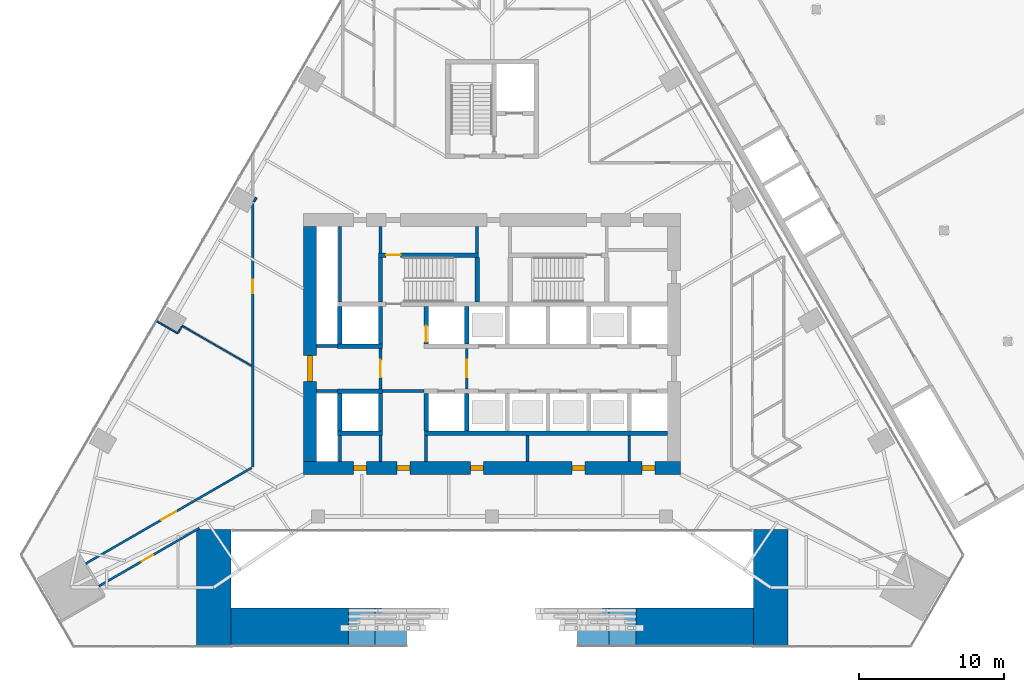
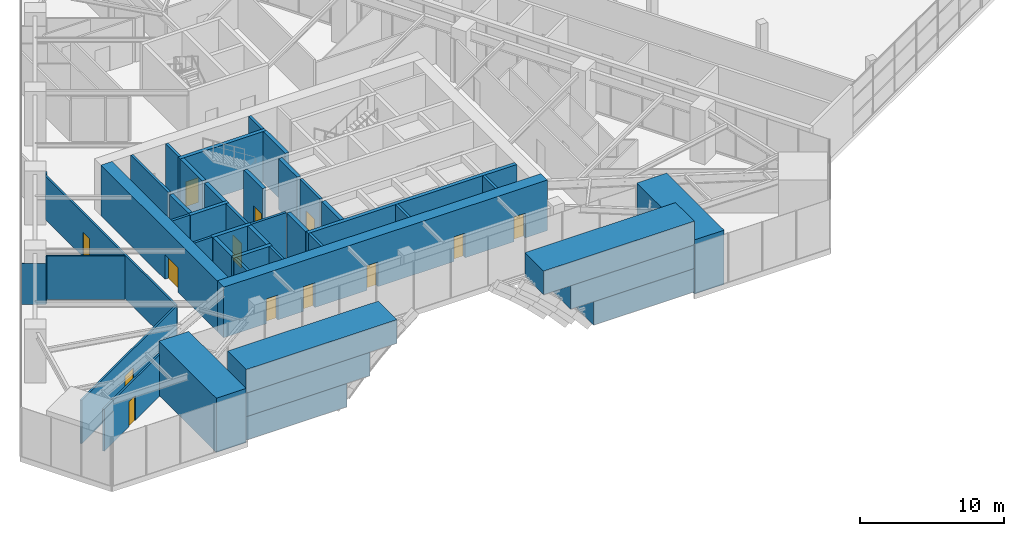
# One storey, part 16 of 23: 45 walls, 13 doors, 13 openings.
"""IFC4 building model written with IfcOpenShell, lengths in metres."""

import ifcopenshell
import ifcopenshell.guid

model = None  # the IFC model being written
_history = None  # IfcOwnerHistory: only IFC2X3 demands one
_inside = {}  # id of a spatial element -> (the spatial element, [elements in it])
_under = {}  # id of a project, library or spatial element -> (it, [spatial elements below it])
_declared = {}  # id of a project -> (the project, [libraries it declares])
_typed = {}  # id of a type object -> (the type object, [elements of that type])
_made_of = {}  # id of a material, layer set ... -> (it, [elements and type objects made of it])


def new_model(schema):
    """Start an empty IFC model of exactly this schema.

    Asked for "IFC4X3", IfcOpenShell would pick the latest addendum, in which some entities
    have other attributes; the version numbers below select the first issue.
    IFC2X3 requires an IfcOwnerHistory on every rooted entity: one is made here for all.
    """
    global model, _history
    if schema == "IFC4X3":
        model = ifcopenshell.file(schema_version=(4, 3, 0, 0))
    else:
        model = ifcopenshell.file(schema=schema)
    _inside.clear()
    _under.clear()
    _declared.clear()
    _typed.clear()
    _made_of.clear()
    _history = None
    if model.schema == "IFC2X3":
        org = make("IfcOrganization", Name="unknown")
        user = make(
            "IfcPersonAndOrganization",
            ThePerson=make("IfcPerson", FamilyName="unknown"),
            TheOrganization=org,
        )
        app = make(
            "IfcApplication",
            ApplicationDeveloper=org,
            Version="unknown",
            ApplicationFullName="unknown",
            ApplicationIdentifier="unknown",
        )
        _history = make(
            "IfcOwnerHistory",
            OwningUser=user,
            OwningApplication=app,
            ChangeAction="ADDED",
            CreationDate=0,
        )
    return model


def make(cls, **values):
    """One entity of the class cls with the attributes given. An attribute that is None is left unset."""
    return model.create_entity(
        cls, **{name: value for name, value in values.items() if value is not None}
    )


def rooted(cls, **values):
    """An entity with a GlobalId (a new one), such as an element, a storey or a relation."""
    return make(cls, GlobalId=ifcopenshell.guid.new(), OwnerHistory=_history, **values)


def si_unit(unit_type, name, prefix=None):
    """IfcSIUnit, for example si_unit("LENGTHUNIT", "METRE", prefix="MILLI")."""
    return make("IfcSIUnit", UnitType=unit_type, Prefix=prefix, Name=name)


def assignment(units):
    """IfcUnitAssignment: the units of a project."""
    return None if units is None else make("IfcUnitAssignment", Units=units)


def point(xyz):
    """IfcCartesianPoint."""
    return None if xyz is None else make("IfcCartesianPoint", Coordinates=xyz)


def direction(xyz):
    """IfcDirection."""
    return None if xyz is None else make("IfcDirection", DirectionRatios=xyz)


def frame(location, z_axis=None, x_axis=None):
    """IfcAxis2Placement3D, a coordinate frame: its origin and axes. An axis left out is left unset."""
    return make(
        "IfcAxis2Placement3D",
        Location=point(location),
        Axis=direction(z_axis),
        RefDirection=direction(x_axis),
    )


def frame_2d(location, x_axis=None):
    """IfcAxis2Placement2D, a coordinate frame in the plane: its origin and x axis."""
    return make(
        "IfcAxis2Placement2D", Location=point(location), RefDirection=direction(x_axis)
    )


def origin():
    """The frame at (0, 0, 0) with its axes left unset."""
    return frame((0.0, 0.0, 0.0))


def place(relative_to, where):
    """IfcLocalPlacement: puts the frame where relative to a parent placement (None: the world)."""
    return make(
        "IfcLocalPlacement", PlacementRelTo=relative_to, RelativePlacement=where
    )


def context(
    kind, dimensions, precision=None, world=None, true_north=None, identifier=None
):
    """IfcGeometricRepresentationContext, for example the 3D "Model" context."""
    return make(
        "IfcGeometricRepresentationContext",
        ContextIdentifier=identifier,
        ContextType=kind,
        CoordinateSpaceDimension=dimensions,
        Precision=precision,
        WorldCoordinateSystem=world,
        TrueNorth=true_north,
    )


def subcontext(parent, identifier, kind, view, scale=None):
    """IfcGeometricRepresentationSubContext, for example "Body" below "Model"."""
    return make(
        "IfcGeometricRepresentationSubContext",
        ContextIdentifier=identifier,
        ContextType=kind,
        ParentContext=parent,
        TargetScale=scale,
        TargetView=view,
    )


def project(units=None, contexts=None):
    """IfcProject with its units and contexts."""
    return rooted(
        "IfcProject",
        Name="project",
        RepresentationContexts=contexts,
        UnitsInContext=assignment(units),
    )


def spatial(cls, under=None, at=None, **own):
    """A site, building, storey or space (cls), placed at a placement, below another one or the project."""
    s = rooted(cls, ObjectPlacement=at, **own)
    if under is not None:
        _under.setdefault(under.id(), (under, []))[1].append(s)
    return s


def profile(cls, at=None, kind="AREA", **sizes):
    """A parametric profile (cls). Its sizes go by their IFC names, for example OverallWidth=200.0."""
    return make(cls, ProfileType=kind, Position=at, **sizes)


def rectangle(**sizes):
    """IfcRectangleProfileDef."""
    return profile("IfcRectangleProfileDef", **sizes)


def extrude(swept, where, along, depth):
    """IfcExtrudedAreaSolid: the profile swept, set in the frame where, extruded along a direction by depth."""
    return make(
        "IfcExtrudedAreaSolid",
        SweptArea=swept,
        Position=where,
        ExtrudedDirection=direction(along),
        Depth=depth,
    )


def shape(context_of_items, identifier, shape_type, items):
    """IfcShapeRepresentation: the items that make up one representation, for example the "Body"."""
    return make(
        "IfcShapeRepresentation",
        ContextOfItems=context_of_items,
        RepresentationIdentifier=identifier,
        RepresentationType=shape_type,
        Items=items,
    )


def material(Name=None, Category=None):
    """IfcMaterial."""
    return make("IfcMaterial", Name=Name, Category=Category)


def layer(
    of_material, thickness, ventilated=None, Name=None, Category=None, Priority=None
):
    """IfcMaterialLayer: one layer of a wall or slab, of a material (None: an air gap)."""
    return make(
        "IfcMaterialLayer",
        Material=of_material,
        LayerThickness=thickness,
        IsVentilated=ventilated,
        Name=Name,
        Category=Category,
        Priority=Priority,
    )


def layer_set(layers, Name=None):
    """IfcMaterialLayerSet."""
    return make("IfcMaterialLayerSet", MaterialLayers=layers, LayerSetName=Name)


def made_of(thing, what):
    """Note that an element or type object is made of a material, layer set ...; save() writes the relation."""
    if what is not None:
        _made_of.setdefault(what.id(), (what, []))[1].append(thing)
    return thing


def type_object(cls, material=None, **own):
    """A type object (cls), such as IfcWallType, which elements share."""
    return made_of(rooted(cls, **own), material)


def element(
    cls,
    number,
    at=None,
    inside=None,
    cuts=None,
    type_object=None,
    material=None,
    context=None,
    identifier="Body",
    shape_type=None,
    held_by="IfcProductDefinitionShape",
    body=None,
    shapes=None,
    **own,
):
    """One element of the class cls, such as IfcWall. Its Tag is "e" and its number.

    at: its placement. inside: the storey or other place that contains it. cuts: it is an
    opening in that element (IfcRelVoidsElement). A single representation is given by context,
    identifier, shape_type and body (its items); several are given by shapes. held_by: the class
    of the entity that holds the representations. save() writes the other relations.
    """
    e = rooted(cls, Tag="e%d" % number, ObjectPlacement=at, **own)
    if body is not None:
        shapes = [shape(context, identifier, shape_type, body)]
    if shapes is not None:
        e.Representation = make(held_by, Representations=shapes)
    if inside is not None:
        _inside.setdefault(inside.id(), (inside, []))[1].append(e)
    if cuts is not None:
        rooted(
            "IfcRelVoidsElement", RelatingBuildingElement=cuts, RelatedOpeningElement=e
        )
    if type_object is not None:
        _typed.setdefault(type_object.id(), (type_object, []))[1].append(e)
    return made_of(e, material)


def fill(opening, filler):
    """IfcRelFillsElement: the door or window that sits in an opening."""
    return rooted(
        "IfcRelFillsElement",
        RelatingOpeningElement=opening,
        RelatedBuildingElement=filler,
    )


def aggregate(whole, parts):
    """IfcRelAggregates: a whole, such as a stair, and the parts it consists of."""
    return rooted("IfcRelAggregates", RelatingObject=whole, RelatedObjects=parts)


def save(model, path):
    """Write the relations noted so far, then the file.

    IfcRelAggregates (storeys below a building ...), IfcRelContainedInSpatialStructure (elements
    in a storey), IfcRelDefinesByType, IfcRelAssociatesMaterial and IfcRelDeclares: one each for
    every whole, place, type object, material and project.
    """
    for whole, parts in _under.values():
        aggregate(whole, parts)
    for where, things in _inside.values():
        rooted(
            "IfcRelContainedInSpatialStructure",
            RelatedElements=things,
            RelatingStructure=where,
        )
    for kind, things in _typed.values():
        rooted("IfcRelDefinesByType", RelatedObjects=things, RelatingType=kind)
    for what, things in _made_of.values():
        rooted("IfcRelAssociatesMaterial", RelatedObjects=things, RelatingMaterial=what)
    for by, libraries in _declared.values():
        rooted("IfcRelDeclares", RelatingContext=by, RelatedDefinitions=libraries)
    model.write(path)


model = new_model("IFC4")

# Units and contexts
model_context = context("Model", 3, precision=1e-05, world=origin(), true_north=direction((0.0, 1.0)))
body_context = subcontext(model_context, "Body", "Model", "MODEL_VIEW")
ifc_project = project(units=[si_unit("LENGTHUNIT", "METRE"), si_unit("AREAUNIT", "SQUARE_METRE"), si_unit("VOLUMEUNIT", "CUBIC_METRE"), si_unit("PLANEANGLEUNIT", "RADIAN"), si_unit("MASSUNIT", "GRAM", prefix="KILO")], contexts=[model_context])

# Site, building, storey
site_placement = place(None, origin())
site = spatial("IfcSite", under=ifc_project, at=site_placement, CompositionType="ELEMENT")
building_placement = place(site_placement, origin())
building = spatial("IfcBuilding", under=site, at=building_placement, Name="Firuza Gate Tower and Library", CompositionType="ELEMENT")
storey_placement = place(building_placement, frame((0.0, 0.0, 21.800048828125)))
storey = spatial("IfcBuildingStorey", under=building, at=storey_placement, Name="L04", CompositionType="ELEMENT", Elevation=21.800048828125)

# Walls
ifc_material_1 = material(Name="Plasterboard on steel studs", Category="steel")
ifc_layer_1 = layer(ifc_material_1, 0.199951171875)
ifc_layer_set_1 = layer_set([ifc_layer_1], Name="Core partition 200 EI 120")
wall_type_1 = type_object("IfcWallType", Name="Core partition 200 EI 120", PredefinedType="PARTITIONING", material=ifc_layer_set_1)
wall_1_placement = place(storey_placement, frame((62.89990234375, 71.75, 0.0), z_axis=(0.0, 0.0, 1.0), x_axis=(1.0, 0.0, 0.0)))
element("IfcWall", 1, at=wall_1_placement, inside=storey, type_object=wall_type_1, Name="Core partition L04 1", PredefinedType="PARTITIONING", context=body_context, shape_type="SweptSolid", body=[
    extrude(rectangle(XDim=1.4501953125, YDim=0.199951171875, at=frame_2d((0.72509765625, 0.0))), origin(), (0.0, 0.0, 1.0), 4.300048828125),
])
wall_2_placement = place(storey_placement, frame((67.449951171875, 71.75, 0.0), z_axis=(0.0, 0.0, 1.0), x_axis=(1.0, 0.0, 0.0)))
element("IfcWall", 2, at=wall_2_placement, inside=storey, type_object=wall_type_1, Name="Core partition L04 2", PredefinedType="PARTITIONING", context=body_context, shape_type="SweptSolid", body=[
    extrude(rectangle(XDim=2.85009765625, YDim=0.199951171875, at=frame_2d((1.425048828125, 0.0))), origin(), (0.0, 0.0, 1.0), 4.300048828125),
])
wall_3_placement = place(storey_placement, frame((62.89990234375, 74.85009765625, 0.0), z_axis=(0.0, 0.0, 1.0), x_axis=(1.0, 0.0, 0.0)))
element("IfcWall", 3, at=wall_3_placement, inside=storey, type_object=wall_type_1, Name="Core partition L04 3", PredefinedType="PARTITIONING", context=body_context, shape_type="SweptSolid", body=[
    extrude(rectangle(XDim=1.4501953125, YDim=0.199951171875, at=frame_2d((0.72509765625, 0.0))), origin(), (0.0, 0.0, 1.0), 4.300048828125),
])
wall_4_placement = place(storey_placement, frame((64.5, 66.89990234375, 0.0), z_axis=(0.0, 0.0, 1.0), x_axis=(0.0, 1.0, 0.0)))
element("IfcWall", 4, at=wall_4_placement, inside=storey, type_object=wall_type_1, Name="Core partition L04 5", PredefinedType="PARTITIONING", context=body_context, shape_type="SweptSolid", body=[
    extrude(rectangle(XDim=1.800048828125, YDim=0.199951171875, at=frame_2d((0.89990234375, 0.0))), origin(), (0.0, 0.0, 1.0), 4.300048828125),
])
wall_5_placement = place(storey_placement, frame((64.5, 77.89990234375, 0.0), z_axis=(0.0, 0.0, 1.0), x_axis=(0.0, 1.0, 0.0)))
element("IfcWall", 5, at=wall_5_placement, inside=storey, type_object=wall_type_1, Name="Core partition L04 6", PredefinedType="PARTITIONING", context=body_context, shape_type="SweptSolid", body=[
    extrude(rectangle(XDim=5.2001953125, YDim=0.199951171875, at=frame_2d((2.60009765625, 0.0))), origin(), (0.0, 0.0, 1.0), 4.300048828125),
])
for number, where, z_axis, x_axis, name in (
    (6, (67.300048828125, 66.89990234375, 0.0), (0.0, 0.0, 1.0), (0.0, 1.0, 0.0), "Core partition L04 7"),
    (7, (70.449951171875, 66.89990234375, 0.0), (0.0, 0.0, 1.0), (0.0, 1.0, 0.0), "Core partition L04 10"),
    (8, (77.449951171875, 66.89990234375, 0.0), (0.0, 0.0, 1.0), (0.0, 1.0, 0.0), "Core partition L04 14"),
    (9, (84.449951171875, 66.89990234375, 0.0), (0.0, 0.0, 1.0), (0.0, 1.0, 0.0), "Core partition L04 16"),
):
    element("IfcWall", number, at=place(storey_placement, frame(where, z_axis=z_axis, x_axis=x_axis)), inside=storey, type_object=wall_type_1, Name=name, PredefinedType="PARTITIONING", context=body_context, shape_type="SweptSolid", body=[
        extrude(rectangle(XDim=1.800048828125, YDim=0.199951171875, at=frame_2d((0.89990234375, 0.0))), origin(), (0.0, 0.0, 1.0), 4.300048828125),
    ])

# Wall, opening, door
ifc_material_2 = material(Name="Plasterboard on steel studs", Category="steel")
ifc_layer_2 = layer(ifc_material_2, 0.199951171875)
ifc_layer_set_2 = layer_set([ifc_layer_2], Name="Core partition 200 EI 60")
wall_type_2 = type_object("IfcWallType", Name="Core partition 200 EI 60", PredefinedType="PARTITIONING", material=ifc_layer_set_2)
wall_6_placement = place(storey_placement, frame((67.300048828125, 71.89990234375, 0.0), z_axis=(0.0, 0.0, 1.0), x_axis=(0.0, 1.0, 0.0)))
wall_6 = element("IfcWall", 10, at=wall_6_placement, inside=storey, type_object=wall_type_2, Name="Core partition L04 8", PredefinedType="PARTITIONING", context=body_context, shape_type="SweptSolid", body=[
    extrude(rectangle(XDim=2.800048828125, YDim=0.199951171875, at=frame_2d((1.39990234375, 0.0))), origin(), (0.0, 0.0, 1.0), 4.300048828125),
])
opening_1_placement = place(wall_6_placement, frame((0.800048828125, 0.0, 0.0)))
opening_1 = element("IfcOpeningElement", 11, at=opening_1_placement, cuts=wall_6, Name="Opening L04-K21", PredefinedType="OPENING", context=body_context, shape_type="SweptSolid", body=[
    extrude(rectangle(XDim=1.199951171875, YDim=2.10009765625, at=frame_2d((0.60009765625, 1.050048828125))), frame((0.0, 0.10986328125, 0.0), z_axis=(0.0, -1.0, 0.0), x_axis=(1.0, 0.0, 0.0)), (0.0, 0.0, 1.0), 0.219970703125),
])
ifc_material_3 = material(Name="Steel", Category="steel")
door_type_1 = type_object("IfcDoorType", Name="Fire door 1200x2100 FD90S", OperationType="NOTDEFINED", PredefinedType="DOOR", material=ifc_material_3)
door_1_placement = place(opening_1_placement, origin())
door_1 = element("IfcDoor", 12, at=door_1_placement, inside=storey, type_object=door_type_1, Name="Door L04-K21", OperationType="SINGLE_SWING_RIGHT", OverallHeight=2.10009765625, OverallWidth=1.199951171875, PredefinedType="DOOR", context=body_context, shape_type="SweptSolid", body=[
    extrude(rectangle(XDim=1.199951171875, YDim=2.10009765625, at=frame_2d((0.60009765625, 1.050048828125))), frame((0.0, 0.02490234375, 0.0), z_axis=(0.0, -1.0, 0.0), x_axis=(1.0, 0.0, 0.0)), (0.0, 0.0, 1.0), 0.050048828125),
])
fill(opening_1, door_1)

# Wall
wall_7_placement = place(storey_placement, frame((67.300048828125, 81.280029296875, 0.0), z_axis=(0.0, 0.0, 1.0), x_axis=(0.0, 1.0, 0.0)))
element("IfcWall", 13, at=wall_7_placement, inside=storey, type_object=wall_type_2, Name="Core partition L04 9", PredefinedType="PARTITIONING", context=body_context, shape_type="SweptSolid", body=[
    extrude(rectangle(XDim=1.820068359375, YDim=0.199951171875, at=frame_2d((0.91015625, 0.0))), origin(), (0.0, 0.0, 1.0), 4.300048828125),
])

# Wall, opening, door
wall_8_placement = place(storey_placement, frame((73.25, 71.89990234375, 0.0), z_axis=(0.0, 0.0, 1.0), x_axis=(0.0, 1.0, 0.0)))
wall_8 = element("IfcWall", 14, at=wall_8_placement, inside=storey, type_object=wall_type_2, Name="Core partition L04 11", PredefinedType="PARTITIONING", context=body_context, shape_type="SweptSolid", body=[
    extrude(rectangle(XDim=2.800048828125, YDim=0.199951171875, at=frame_2d((1.39990234375, 0.0))), origin(), (0.0, 0.0, 1.0), 4.300048828125),
])
opening_2_placement = place(wall_8_placement, frame((0.800048828125, 0.0, 0.0)))
opening_2 = element("IfcOpeningElement", 15, at=opening_2_placement, cuts=wall_8, Name="Opening L04-K20", PredefinedType="OPENING", context=body_context, shape_type="SweptSolid", body=[
    extrude(rectangle(XDim=1.199951171875, YDim=2.10009765625, at=frame_2d((0.60009765625, 1.050048828125))), frame((0.0, 0.10986328125, 0.0), z_axis=(0.0, -1.0, 0.0), x_axis=(1.0, 0.0, 0.0)), (0.0, 0.0, 1.0), 0.219970703125),
])
door_2_placement = place(opening_2_placement, origin())
door_2 = element("IfcDoor", 16, at=door_2_placement, inside=storey, type_object=door_type_1, Name="Door L04-K20", OperationType="SINGLE_SWING_LEFT", OverallHeight=2.10009765625, OverallWidth=1.199951171875, PredefinedType="DOOR", context=body_context, shape_type="SweptSolid", body=[
    extrude(rectangle(XDim=1.199951171875, YDim=2.10009765625, at=frame_2d((0.60009765625, 1.050048828125))), frame((0.0, 0.02490234375, 0.0), z_axis=(0.0, -1.0, 0.0), x_axis=(1.0, 0.0, 0.0)), (0.0, 0.0, 1.0), 0.050048828125),
])
fill(opening_2, door_2)

# Walls
wall_9_placement = place(storey_placement, frame((73.9599609375, 81.280029296875, 0.0), z_axis=(0.0, 0.0, 1.0), x_axis=(0.0, 1.0, 0.0)))
element("IfcWall", 17, at=wall_9_placement, inside=storey, type_object=wall_type_2, Name="Core partition L04 12", PredefinedType="PARTITIONING", context=body_context, shape_type="SweptSolid", body=[
    extrude(rectangle(XDim=1.820068359375, YDim=0.199951171875, at=frame_2d((0.91015625, 0.0))), origin(), (0.0, 0.0, 1.0), 4.300048828125),
])
ifc_material_4 = material(Name="Concrete C80/95", Category="concrete")
ifc_layer_3 = layer(ifc_material_4, 0.300048828125)
ifc_layer_set_3 = layer_set([ifc_layer_3], Name="Core wall 300 C80/95")
wall_type_3 = type_object("IfcWallType", Name="Core wall 300 C80/95", PredefinedType="SHEAR", material=ifc_layer_set_3)
wall_10_placement = place(storey_placement, frame((64.35009765625, 68.85009765625, 0.0), z_axis=(0.0, 0.0, 1.0), x_axis=(1.0, 0.0, 0.0)))
element("IfcWall", 18, at=wall_10_placement, inside=storey, type_object=wall_type_3, Name="Core wall L04 5", PredefinedType="SHEAR", context=body_context, shape_type="SweptSolid", body=[
    extrude(rectangle(XDim=3.099853515625, YDim=0.300048828125, at=frame_2d((1.5498046875, 0.0))), origin(), (0.0, 0.0, 1.0), 4.300048828125),
])
wall_11_placement = place(storey_placement, frame((70.35009765625, 68.85009765625, 0.0), z_axis=(0.0, 0.0, 1.0), x_axis=(1.0, 0.0, 0.0)))
element("IfcWall", 19, at=wall_11_placement, inside=storey, type_object=wall_type_3, Name="Core wall L04 6", PredefinedType="SHEAR", context=body_context, shape_type="SweptSolid", body=[
    extrude(rectangle(XDim=16.75, YDim=0.300048828125, at=frame_2d((8.375, 0.0))), origin(), (0.0, 0.0, 1.0), 4.300048828125),
])
for number, where, z_axis, x_axis, name in (
    (20, (64.35009765625, 71.75, 0.0), (0.0, 0.0, 1.0), (1.0, 0.0, 0.0), "Core wall L04 7"),
    (21, (64.35009765625, 74.85009765625, 0.0), (0.0, 0.0, 1.0), (1.0, 0.0, 0.0), "Core wall L04 9"),
):
    element("IfcWall", number, at=place(storey_placement, frame(where, z_axis=z_axis, x_axis=x_axis)), inside=storey, type_object=wall_type_3, Name=name, PredefinedType="SHEAR", context=body_context, shape_type="SweptSolid", body=[
        extrude(rectangle(XDim=3.099853515625, YDim=0.300048828125, at=frame_2d((1.5498046875, 0.0))), origin(), (0.0, 0.0, 1.0), 4.300048828125),
    ])
for number, where, z_axis, x_axis, name in (
    (22, (64.5, 69.0, 0.0), (0.0, 0.0, 1.0), (0.0, 1.0, 0.0), "Core wall L04 11"),
    (23, (64.5, 75.0, 0.0), (0.0, 0.0, 1.0), (0.0, 1.0, 0.0), "Core wall L04 12"),
    (24, (67.300048828125, 69.0, 0.0), (0.0, 0.0, 1.0), (0.0, 1.0, 0.0), "Core wall L04 13"),
    (25, (67.300048828125, 75.0, 0.0), (0.0, 0.0, 1.0), (0.0, 1.0, 0.0), "Core wall L04 14"),
    (26, (70.449951171875, 69.0, 0.0), (0.0, 0.0, 1.0), (0.0, 1.0, 0.0), "Core wall L04 15"),
):
    element("IfcWall", number, at=place(storey_placement, frame(where, z_axis=z_axis, x_axis=x_axis)), inside=storey, type_object=wall_type_3, Name=name, PredefinedType="SHEAR", context=body_context, shape_type="SweptSolid", body=[
        extrude(rectangle(XDim=2.60009765625, YDim=0.300048828125, at=frame_2d((1.300048828125, 0.0))), origin(), (0.0, 0.0, 1.0), 4.300048828125),
    ])

# Wall, opening, door
wall_12_placement = place(storey_placement, frame((70.449951171875, 75.0, 0.0), z_axis=(0.0, 0.0, 1.0), x_axis=(0.0, 1.0, 0.0)))
wall_12 = element("IfcWall", 27, at=wall_12_placement, inside=storey, type_object=wall_type_3, Name="Core wall L04 16", PredefinedType="SHEAR", context=body_context, shape_type="SweptSolid", body=[
    extrude(rectangle(XDim=2.60009765625, YDim=0.300048828125, at=frame_2d((1.300048828125, 0.0))), origin(), (0.0, 0.0, 1.0), 4.300048828125),
])
opening_3_placement = place(wall_12_placement, frame((0.14990234375, 0.0, 0.0)))
opening_3 = element("IfcOpeningElement", 28, at=opening_3_placement, cuts=wall_12, Name="Opening LD-FF2-L04", PredefinedType="OPENING", context=body_context, shape_type="SweptSolid", body=[
    extrude(rectangle(XDim=1.10009765625, YDim=2.10009765625, at=frame_2d((0.550048828125, 1.050048828125))), frame((0.0, 0.16015625, 0.0), z_axis=(0.0, -1.0, 0.0), x_axis=(1.0, 0.0, 0.0)), (0.0, 0.0, 1.0), 0.320068359375),
])
ifc_material_5 = material(Name="Stainless steel", Category="steel")
door_type_2 = type_object("IfcDoorType", Name="Lift landing door 1100x2100", OperationType="DOUBLE_DOOR_SLIDING", PredefinedType="DOOR", material=ifc_material_5)
door_3_placement = place(opening_3_placement, origin())
door_3 = element("IfcDoor", 29, at=door_3_placement, inside=storey, type_object=door_type_2, Name="Landing door FF2 L04", OperationType="DOUBLE_DOOR_SLIDING", OverallHeight=2.10009765625, OverallWidth=1.10009765625, PredefinedType="DOOR", context=body_context, shape_type="SweptSolid", body=[
    extrude(rectangle(XDim=1.10009765625, YDim=2.10009765625, at=frame_2d((0.550048828125, 1.050048828125))), frame((0.0, 0.02490234375, 0.0), z_axis=(0.0, -1.0, 0.0), x_axis=(1.0, 0.0, 0.0)), (0.0, 0.0, 1.0), 0.050048828125),
])
fill(opening_3, door_3)

# Walls
for number, where, z_axis, x_axis, name in (
    (30, (73.25, 69.0, 0.0), (0.0, 0.0, 1.0), (0.0, 1.0, 0.0), "Core wall L04 17"),
    (31, (73.25, 75.0, 0.0), (0.0, 0.0, 1.0), (0.0, 1.0, 0.0), "Core wall L04 18"),
):
    element("IfcWall", number, at=place(storey_placement, frame(where, z_axis=z_axis, x_axis=x_axis)), inside=storey, type_object=wall_type_3, Name=name, PredefinedType="SHEAR", context=body_context, shape_type="SweptSolid", body=[
        extrude(rectangle(XDim=2.60009765625, YDim=0.300048828125, at=frame_2d((1.300048828125, 0.0))), origin(), (0.0, 0.0, 1.0), 4.300048828125),
    ])

# Wall, opening, door
wall_13_placement = place(storey_placement, frame((67.14990234375, 81.1298828125, 0.0), z_axis=(0.0, 0.0, 1.0), x_axis=(1.0, 0.0, 0.0)))
wall_13 = element("IfcWall", 32, at=wall_13_placement, inside=storey, type_object=wall_type_3, Name="Core wall L04 28", PredefinedType="SHEAR", context=body_context, shape_type="SweptSolid", body=[
    extrude(rectangle(XDim=6.91015625, YDim=0.300048828125, at=frame_2d((3.455078125, 0.0))), origin(), (0.0, 0.0, 1.0), 4.300048828125),
])
opening_4_placement = place(wall_13_placement, frame((0.544921875, 0.0, 0.0)))
opening_4 = element("IfcOpeningElement", 33, at=opening_4_placement, cuts=wall_13, Name="Opening L04-K13", PredefinedType="OPENING", context=body_context, shape_type="SweptSolid", body=[
    extrude(rectangle(XDim=1.0, YDim=2.10009765625, at=frame_2d((0.5, 1.050048828125))), frame((0.0, 0.16015625, 0.0), z_axis=(0.0, -1.0, 0.0), x_axis=(1.0, 0.0, 0.0)), (0.0, 0.0, 1.0), 0.320068359375),
])
ifc_material_6 = material(Name="Steel", Category="steel")
door_type_3 = type_object("IfcDoorType", Name="Fire door 1000x2100 FD90", OperationType="NOTDEFINED", PredefinedType="DOOR", material=ifc_material_6)
door_4_placement = place(opening_4_placement, origin())
door_4 = element("IfcDoor", 34, at=door_4_placement, inside=storey, type_object=door_type_3, Name="Door L04-K13", OperationType="SINGLE_SWING_RIGHT", OverallHeight=2.10009765625, OverallWidth=1.0, PredefinedType="DOOR", context=body_context, shape_type="SweptSolid", body=[
    extrude(rectangle(XDim=1.0, YDim=2.10009765625, at=frame_2d((0.5, 1.050048828125))), frame((0.0, 0.02490234375, 0.0), z_axis=(0.0, -1.0, 0.0), x_axis=(1.0, 0.0, 0.0)), (0.0, 0.0, 1.0), 0.050048828125),
])
fill(opening_4, door_4)

# Walls
for number, where, z_axis, x_axis, name in (
    (35, (67.300048828125, 77.89990234375, 0.0), (0.0, 0.0, 1.0), (0.0, 1.0, 0.0), "Core wall L04 30"),
    (36, (73.9599609375, 77.89990234375, 0.0), (0.0, 0.0, 1.0), (0.0, 1.0, 0.0), "Core wall L04 31"),
):
    element("IfcWall", number, at=place(storey_placement, frame(where, z_axis=z_axis, x_axis=x_axis)), inside=storey, type_object=wall_type_3, Name=name, PredefinedType="SHEAR", context=body_context, shape_type="SweptSolid", body=[
        extrude(rectangle(XDim=3.080078125, YDim=0.300048828125, at=frame_2d((1.5400390625, 0.0))), origin(), (0.0, 0.0, 1.0), 4.300048828125),
    ])

# Wall, openings, doors
ifc_material_7 = material(Name="Concrete C80/95", Category="concrete")
ifc_layer_4 = layer(ifc_material_7, 0.89990234375)
ifc_layer_set_4 = layer_set([ifc_layer_4], Name="Core wall 900 C80/95")
wall_type_4 = type_object("IfcWallType", Name="Core wall 900 C80/95", PredefinedType="SHEAR", material=ifc_layer_set_4)
wall_14_placement = place(storey_placement, frame((62.0, 66.449951171875, 0.0), z_axis=(0.0, 0.0, 1.0), x_axis=(1.0, 0.0, 0.0)))
wall_14 = element("IfcWall", 37, at=wall_14_placement, inside=storey, type_object=wall_type_4, Name="Core wall L04 1", PredefinedType="SHEAR", context=body_context, shape_type="SweptSolid", body=[
    extrude(rectangle(XDim=26.0, YDim=0.89990234375, at=frame_2d((13.0, 0.0))), origin(), (0.0, 0.0, 1.0), 4.300048828125),
])
opening_5_placement = place(wall_14_placement, frame((3.449951171875, 0.0, 0.0)))
opening_5 = element("IfcOpeningElement", 38, at=opening_5_placement, cuts=wall_14, Name="Opening L04-K24", PredefinedType="OPENING", context=body_context, shape_type="SweptSolid", body=[
    extrude(rectangle(XDim=0.89990234375, YDim=2.10009765625, at=frame_2d((0.449951171875, 1.050048828125))), frame((0.0, 0.4599609375, 0.0), z_axis=(0.0, -1.0, 0.0), x_axis=(1.0, 0.0, 0.0)), (0.0, 0.0, 1.0), 0.919921875),
])
opening_6_placement = place(wall_14_placement, frame((6.425048828125, 0.0, 0.0)))
opening_6 = element("IfcOpeningElement", 39, at=opening_6_placement, cuts=wall_14, Name="Opening L04-K25", PredefinedType="OPENING", context=body_context, shape_type="SweptSolid", body=[
    extrude(rectangle(XDim=0.89990234375, YDim=2.10009765625, at=frame_2d((0.449951171875, 1.050048828125))), frame((0.0, 0.4599609375, 0.0), z_axis=(0.0, -1.0, 0.0), x_axis=(1.0, 0.0, 0.0)), (0.0, 0.0, 1.0), 0.919921875),
])
opening_7_placement = place(wall_14_placement, frame((11.5, 0.0, 0.0)))
opening_7 = element("IfcOpeningElement", 40, at=opening_7_placement, cuts=wall_14, Name="Opening L04-K26", PredefinedType="OPENING", context=body_context, shape_type="SweptSolid", body=[
    extrude(rectangle(XDim=0.89990234375, YDim=2.10009765625, at=frame_2d((0.449951171875, 1.050048828125))), frame((0.0, 0.4599609375, 0.0), z_axis=(0.0, -1.0, 0.0), x_axis=(1.0, 0.0, 0.0)), (0.0, 0.0, 1.0), 0.919921875),
])
opening_8_placement = place(wall_14_placement, frame((18.5, 0.0, 0.0)))
opening_8 = element("IfcOpeningElement", 41, at=opening_8_placement, cuts=wall_14, Name="Opening L04-K27", PredefinedType="OPENING", context=body_context, shape_type="SweptSolid", body=[
    extrude(rectangle(XDim=0.89990234375, YDim=2.10009765625, at=frame_2d((0.449951171875, 1.050048828125))), frame((0.0, 0.4599609375, 0.0), z_axis=(0.0, -1.0, 0.0), x_axis=(1.0, 0.0, 0.0)), (0.0, 0.0, 1.0), 0.919921875),
])
opening_9_placement = place(wall_14_placement, frame((23.324951171875, 0.0, 0.0)))
opening_9 = element("IfcOpeningElement", 42, at=opening_9_placement, cuts=wall_14, Name="Opening L04-K28", PredefinedType="OPENING", context=body_context, shape_type="SweptSolid", body=[
    extrude(rectangle(XDim=0.89990234375, YDim=2.10009765625, at=frame_2d((0.449951171875, 1.050048828125))), frame((0.0, 0.4599609375, 0.0), z_axis=(0.0, -1.0, 0.0), x_axis=(1.0, 0.0, 0.0)), (0.0, 0.0, 1.0), 0.919921875),
])
ifc_material_8 = material(Name="Steel", Category="steel")
door_type_4 = type_object("IfcDoorType", Name="Fire door 900x2100 FD30S", OperationType="NOTDEFINED", PredefinedType="DOOR", material=ifc_material_8)
door_5_placement = place(opening_5_placement, origin())
door_5 = element("IfcDoor", 43, at=door_5_placement, inside=storey, type_object=door_type_4, Name="Door L04-K24", OperationType="SINGLE_SWING_LEFT", OverallHeight=2.10009765625, OverallWidth=0.89990234375, PredefinedType="DOOR", context=body_context, shape_type="SweptSolid", body=[
    extrude(rectangle(XDim=0.89990234375, YDim=2.10009765625, at=frame_2d((0.449951171875, 1.050048828125))), frame((0.0, 0.169921875, 0.0), z_axis=(0.0, -1.0, 0.0), x_axis=(1.0, 0.0, 0.0)), (0.0, 0.0, 1.0), 0.33984375),
])
fill(opening_5, door_5)
door_6_placement = place(opening_6_placement, origin())
door_6 = element("IfcDoor", 44, at=door_6_placement, inside=storey, type_object=door_type_4, Name="Door L04-K25", OperationType="SINGLE_SWING_RIGHT", OverallHeight=2.10009765625, OverallWidth=0.89990234375, PredefinedType="DOOR", context=body_context, shape_type="SweptSolid", body=[
    extrude(rectangle(XDim=0.89990234375, YDim=2.10009765625, at=frame_2d((0.449951171875, 1.050048828125))), frame((0.0, 0.169921875, 0.0), z_axis=(0.0, -1.0, 0.0), x_axis=(1.0, 0.0, 0.0)), (0.0, 0.0, 1.0), 0.33984375),
])
fill(opening_6, door_6)
door_7_placement = place(opening_7_placement, origin())
door_7 = element("IfcDoor", 45, at=door_7_placement, inside=storey, type_object=door_type_4, Name="Door L04-K26", OperationType="SINGLE_SWING_LEFT", OverallHeight=2.10009765625, OverallWidth=0.89990234375, PredefinedType="DOOR", context=body_context, shape_type="SweptSolid", body=[
    extrude(rectangle(XDim=0.89990234375, YDim=2.10009765625, at=frame_2d((0.449951171875, 1.050048828125))), frame((0.0, 0.169921875, 0.0), z_axis=(0.0, -1.0, 0.0), x_axis=(1.0, 0.0, 0.0)), (0.0, 0.0, 1.0), 0.33984375),
])
fill(opening_7, door_7)
door_8_placement = place(opening_8_placement, origin())
door_8 = element("IfcDoor", 46, at=door_8_placement, inside=storey, type_object=door_type_4, Name="Door L04-K27", OperationType="SINGLE_SWING_RIGHT", OverallHeight=2.10009765625, OverallWidth=0.89990234375, PredefinedType="DOOR", context=body_context, shape_type="SweptSolid", body=[
    extrude(rectangle(XDim=0.89990234375, YDim=2.10009765625, at=frame_2d((0.449951171875, 1.050048828125))), frame((0.0, 0.169921875, 0.0), z_axis=(0.0, -1.0, 0.0), x_axis=(1.0, 0.0, 0.0)), (0.0, 0.0, 1.0), 0.33984375),
])
fill(opening_8, door_8)
door_9_placement = place(opening_9_placement, origin())
door_9 = element("IfcDoor", 47, at=door_9_placement, inside=storey, type_object=door_type_4, Name="Door L04-K28", OperationType="SINGLE_SWING_LEFT", OverallHeight=2.10009765625, OverallWidth=0.89990234375, PredefinedType="DOOR", context=body_context, shape_type="SweptSolid", body=[
    extrude(rectangle(XDim=0.89990234375, YDim=2.10009765625, at=frame_2d((0.449951171875, 1.050048828125))), frame((0.0, 0.169921875, 0.0), z_axis=(0.0, -1.0, 0.0), x_axis=(1.0, 0.0, 0.0)), (0.0, 0.0, 1.0), 0.33984375),
])
fill(opening_9, door_9)

# Wall, opening, door
wall_15_placement = place(storey_placement, frame((62.449951171875, 66.89990234375, 0.0), z_axis=(0.0, 0.0, 1.0), x_axis=(0.0, 1.0, 0.0)))
wall_15 = element("IfcWall", 48, at=wall_15_placement, inside=storey, type_object=wall_type_4, Name="Core wall L04 3", PredefinedType="SHEAR", context=body_context, shape_type="SweptSolid", body=[
    extrude(rectangle(XDim=16.2001953125, YDim=0.89990234375, at=frame_2d((8.10009765625, 0.0))), origin(), (0.0, 0.0, 1.0), 4.300048828125),
])
opening_10_placement = place(wall_15_placement, frame((5.5, 0.0, 0.0)))
opening_10 = element("IfcOpeningElement", 49, at=opening_10_placement, cuts=wall_15, Name="Opening L04-K22", PredefinedType="OPENING", context=body_context, shape_type="SweptSolid", body=[
    extrude(rectangle(XDim=1.800048828125, YDim=2.10009765625, at=frame_2d((0.89990234375, 1.050048828125))), frame((0.0, 0.4599609375, 0.0), z_axis=(0.0, -1.0, 0.0), x_axis=(1.0, 0.0, 0.0)), (0.0, 0.0, 1.0), 0.919921875),
])
ifc_material_9 = material(Name="Steel", Category="steel")
door_type_5 = type_object("IfcDoorType", Name="Fire door 1800x2100 FD30S", OperationType="NOTDEFINED", PredefinedType="DOOR", material=ifc_material_9)
door_10_placement = place(opening_10_placement, origin())
door_10 = element("IfcDoor", 50, at=door_10_placement, inside=storey, type_object=door_type_5, Name="Door L04-K22", OperationType="SINGLE_SWING_LEFT", OverallHeight=2.10009765625, OverallWidth=1.800048828125, PredefinedType="DOOR", context=body_context, shape_type="SweptSolid", body=[
    extrude(rectangle(XDim=1.800048828125, YDim=2.10009765625, at=frame_2d((0.89990234375, 1.050048828125))), frame((0.0, 0.169921875, 0.0), z_axis=(0.0, -1.0, 0.0), x_axis=(1.0, 0.0, 0.0)), (0.0, 0.0, 1.0), 0.33984375),
])
fill(opening_10, door_10)

ifc_material_10 = material(Name="Gypsum board partition")
ifc_layer_5 = layer(ifc_material_10, 0.14990234375)
ifc_layer_set_5 = layer_set([ifc_layer_5], Name="Corridor wall 150 double board on steel studs")
wall_type_5 = type_object("IfcWallType", Name="Corridor wall 150 double board on steel studs", PredefinedType="PARTITIONING", material=ifc_layer_set_5)
wall_16_placement = place(storey_placement, frame((54.813720703125, 62.306396484375, 0.0), z_axis=(0.0, 0.0, 1.0), x_axis=(-0.866017985154, -0.500012849225, 0.0)))
wall_16 = element("IfcWall", 51, at=wall_16_placement, inside=storey, type_object=wall_type_5, Name="f:L04:w010", PredefinedType="PARTITIONING", context=body_context, shape_type="SweptSolid", body=[
    extrude(rectangle(XDim=8.005126953125, YDim=0.14990234375, at=frame_2d((4.00244140625, 0.0))), origin(), (0.0, 0.0, 1.0), 3.546875),
])
opening_11_placement = place(wall_16_placement, frame((3.6875, 0.0, 0.0)))
opening_11 = element("IfcOpeningElement", 52, at=opening_11_placement, cuts=wall_16, Name="Opening L04-05", PredefinedType="OPENING", context=body_context, shape_type="SweptSolid", body=[
    extrude(rectangle(XDim=0.89990234375, YDim=2.10009765625, at=frame_2d((0.449951171875, 1.050048828125))), frame((0.0, 0.0849609375, 0.0), z_axis=(0.0, -1.0, 0.0), x_axis=(1.0, 0.0, 0.0)), (0.0, 0.0, 1.0), 0.169921875),
])
ifc_material_11 = material(Name="Steel door and timber leaf", Category="steel")
door_type_6 = type_object("IfcDoorType", Name="Fire door 900 x 2100 steel frame, timber leaf", OperationType="NOTDEFINED", PredefinedType="DOOR", material=ifc_material_11)
door_11_placement = place(opening_11_placement, origin())
door_11 = element("IfcDoor", 53, at=door_11_placement, inside=storey, type_object=door_type_6, Name="f:L04:d005", OperationType="SINGLE_SWING_RIGHT", OverallHeight=2.10009765625, OverallWidth=0.89990234375, PredefinedType="DOOR", context=body_context, shape_type="SweptSolid", body=[
    extrude(rectangle(XDim=0.89990234375, YDim=2.10009765625, at=frame_2d((0.449951171875, 1.050048828125))), frame((0.0, 0.02490234375, 0.0), z_axis=(0.0, -1.0, 0.0), x_axis=(1.0, 0.0, 0.0)), (0.0, 0.0, 1.0), 0.050048828125),
])
fill(opening_11, door_11)

wall_17_placement = place(storey_placement, frame((46.9814453125, 59.86279296875, 0.0), z_axis=(0.0, 0.0, 1.0), x_axis=(0.866026517173, 0.499998071549, 0.0)))
wall_17 = element("IfcWall", 54, at=wall_17_placement, inside=storey, type_object=wall_type_5, Name="f:L04:w011", PredefinedType="PARTITIONING", context=body_context, shape_type="SweptSolid", body=[
    extrude(rectangle(XDim=13.2138671875, YDim=0.14990234375, at=frame_2d((6.60693359375, 0.0))), origin(), (0.0, 0.0, 1.0), 3.699951171875),
])
opening_12_placement = place(wall_17_placement, frame((6.0068359375, 0.0, 0.0)))
opening_12 = element("IfcOpeningElement", 55, at=opening_12_placement, cuts=wall_17, Name="Opening L04-06", PredefinedType="OPENING", context=body_context, shape_type="SweptSolid", body=[
    extrude(rectangle(XDim=1.199951171875, YDim=2.10009765625, at=frame_2d((0.60009765625, 1.050048828125))), frame((0.0, 0.0849609375, 0.0), z_axis=(0.0, -1.0, 0.0), x_axis=(1.0, 0.0, 0.0)), (0.0, 0.0, 1.0), 0.169921875),
])
ifc_material_12 = material(Name="Steel door and timber leaf", Category="steel")
door_type_7 = type_object("IfcDoorType", Name="Fire door 1200 x 2100 steel frame, double leaf", OperationType="NOTDEFINED", PredefinedType="DOOR", material=ifc_material_12)
door_12_placement = place(opening_12_placement, origin())
door_12 = element("IfcDoor", 56, at=door_12_placement, inside=storey, type_object=door_type_7, Name="f:L04:d006", OperationType="DOUBLE_DOOR_SINGLE_SWING", OverallHeight=2.10009765625, OverallWidth=1.199951171875, PredefinedType="DOOR", context=body_context, shape_type="SweptSolid", body=[
    extrude(rectangle(XDim=1.199951171875, YDim=2.10009765625, at=frame_2d((0.60009765625, 1.050048828125))), frame((0.0, 0.02490234375, 0.0), z_axis=(0.0, -1.0, 0.0), x_axis=(1.0, 0.0, 0.0)), (0.0, 0.0, 1.0), 0.050048828125),
])
fill(opening_12, door_12)

# Wall
wall_18_placement = place(storey_placement, frame((58.57470703125, 84.820556640625, 0.0), z_axis=(0.0, 0.0, 1.0), x_axis=(0.500317227461, 0.865842174941, 0.0)))
element("IfcWall", 57, at=wall_18_placement, inside=storey, type_object=wall_type_5, Name="f:L04:w015", PredefinedType="PARTITIONING", context=body_context, shape_type="SweptSolid", body=[
    extrude(rectangle(XDim=0.307861328125, YDim=0.14990234375, at=frame_2d((0.15380859375, 0.0))), origin(), (0.0, 0.0, 1.0), 3.699951171875),
])

# Wall, opening, door
wall_19_placement = place(storey_placement, frame((58.5, 66.512939453125, 0.0), z_axis=(0.0, 0.0, 1.0), x_axis=(0.0, 1.0, 0.0)))
wall_19 = element("IfcWall", 58, at=wall_19_placement, inside=storey, type_object=wall_type_5, Name="f:L04:w028", PredefinedType="PARTITIONING", context=body_context, shape_type="SweptSolid", body=[
    extrude(rectangle(XDim=18.17724609375, YDim=0.14990234375, at=frame_2d((9.088623046875, 0.0))), origin(), (0.0, 0.0, 1.0), 3.699951171875),
])
opening_13_placement = place(wall_19_placement, frame((12.001220703125, 0.0, 0.0)))
opening_13 = element("IfcOpeningElement", 59, at=opening_13_placement, cuts=wall_19, Name="Opening L04-15", PredefinedType="OPENING", context=body_context, shape_type="SweptSolid", body=[
    extrude(rectangle(XDim=0.89990234375, YDim=2.10009765625, at=frame_2d((0.449951171875, 1.050048828125))), frame((0.0, 0.0849609375, 0.0), z_axis=(0.0, -1.0, 0.0), x_axis=(1.0, 0.0, 0.0)), (0.0, 0.0, 1.0), 0.169921875),
])
door_13_placement = place(opening_13_placement, origin())
door_13 = element("IfcDoor", 60, at=door_13_placement, inside=storey, type_object=door_type_6, Name="f:L04:d015", OperationType="SINGLE_SWING_RIGHT", OverallHeight=2.10009765625, OverallWidth=0.89990234375, PredefinedType="DOOR", context=body_context, shape_type="SweptSolid", body=[
    extrude(rectangle(XDim=0.89990234375, YDim=2.10009765625, at=frame_2d((0.449951171875, 1.050048828125))), frame((0.0, 0.02490234375, 0.0), z_axis=(0.0, -1.0, 0.0), x_axis=(1.0, 0.0, 0.0)), (0.0, 0.0, 1.0), 0.050048828125),
])
fill(opening_13, door_13)

# Walls
ifc_material_13 = material(Name="Concrete C80/95", Category="concrete")
ifc_layer_6 = layer(ifc_material_13, 2.39990234375)
ifc_layer_set_6 = layer_set([ifc_layer_6], Name="Iwan wall 2400 C80/95")
wall_type_6 = type_object("IfcWallType", Name="Iwan wall 2400 C80/95", PredefinedType="SHEAR", material=ifc_layer_set_6)
for number, where, z_axis, x_axis, name in (
    (61, (55.800048828125, 54.21533203125, 0.0), (0.0, 0.0, 1.0), (0.0, 1.0, 0.0), "Iwan wall W L04"),
    (62, (94.199951171875, 54.21533203125, 0.0), (0.0, 0.0, 1.0), (0.0, 1.0, 0.0), "Iwan wall E L04"),
):
    element("IfcWall", number, at=place(storey_placement, frame(where, z_axis=z_axis, x_axis=x_axis)), inside=storey, type_object=wall_type_6, Name=name, PredefinedType="SHEAR", context=body_context, shape_type="SweptSolid", body=[
        extrude(rectangle(XDim=8.0, YDim=2.39990234375, at=frame_2d((4.0, 0.0))), origin(), (0.0, 0.0, 1.0), 4.599853515625),
    ])
ifc_material_14 = material(Name="Gypsum board partition")
ifc_layer_7 = layer(ifc_material_14, 0.10009765625)
ifc_layer_set_7 = layer_set([ifc_layer_7], Name="Partition 100 gypsum board on steel studs")
wall_type_7 = type_object("IfcWallType", Name="Partition 100 gypsum board on steel studs", PredefinedType="PARTITIONING", material=ifc_layer_set_7)
wall_20_placement = place(storey_placement, frame((53.35400390625, 75.77783203125, 0.0), z_axis=(0.0, 0.0, 1.0), x_axis=(0.500187988959, 0.865916841101, 0.0)))
element("IfcWall", 63, at=wall_20_placement, inside=storey, type_object=wall_type_7, Name="f:L04:w014", PredefinedType="PARTITIONING", context=body_context, shape_type="SweptSolid", body=[
    extrude(rectangle(XDim=0.499267578125, YDim=0.10009765625, at=frame_2d((0.24951171875, 0.0))), origin(), (0.0, 0.0, 1.0), 3.699951171875),
])
wall_21_placement = place(storey_placement, frame((58.399169921875, 73.49951171875, 0.0), z_axis=(0.0, 0.0, 1.0), x_axis=(-0.866041657848, 0.499971846079, 0.0)))
element("IfcWall", 64, at=wall_21_placement, inside=storey, type_object=wall_type_7, Name="f:L04:w041", PredefinedType="PARTITIONING", context=body_context, shape_type="SweptSolid", body=[
    extrude(rectangle(XDim=5.508056640625, YDim=0.10009765625, at=frame_2d((2.75390625, 0.0))), origin(), (0.0, 0.0, 1.0), 3.699951171875),
])
wall_22_placement = place(storey_placement, frame((53.32861328125, 75.734130859375, 0.0), z_axis=(0.0, 0.0, 1.0), x_axis=(-0.866028621479, 0.499994426748, 0.0)))
element("IfcWall", 65, at=wall_22_placement, inside=storey, type_object=wall_type_7, Name="f:L04:w042", PredefinedType="PARTITIONING", context=body_context, shape_type="SweptSolid", body=[
    extrude(rectangle(XDim=1.70947265625, YDim=0.10009765625, at=frame_2d((0.854736328125, 0.0))), origin(), (0.0, 0.0, 1.0), 3.46484375),
])
ifc_material_15 = material(Name="Concrete C60/75", Category="concrete")
ifc_layer_8 = layer(ifc_material_15, 2.60009765625)
ifc_layer_set_8 = layer_set([ifc_layer_8], Name="Portal wall 2600 C60/75")
wall_type_8 = type_object("IfcWallType", Name="Portal wall 2600 C60/75", PredefinedType="SOLIDWALL", material=ifc_layer_set_8)
for number, where, z_axis, x_axis, name in (
    (66, (57.0, 55.515380859375, 0.199951171875), (0.0, 0.0, 1.0), (1.0, 0.0, 0.0), "Portal wall course 12"),
    (67, (84.906005859375, 55.515380859375, 0.199951171875), (0.0, 0.0, 1.0), (1.0, 0.0, 0.0), "Portal wall course 12"),
):
    element("IfcWall", number, at=place(storey_placement, frame(where, z_axis=z_axis, x_axis=x_axis)), inside=storey, type_object=wall_type_8, Name=name, PredefinedType="SOLIDWALL", context=body_context, shape_type="SweptSolid", body=[
        extrude(rectangle(XDim=8.093994140625, YDim=2.60009765625, at=frame_2d((4.046875, 0.0))), origin(), (0.0, 0.0, 1.0), 2.0),
    ])
for number, where, z_axis, x_axis, name in (
    (68, (57.0, 55.515380859375, 2.199951171875), (0.0, 0.0, 1.0), (1.0, 0.0, 0.0), "Portal wall course 13"),
    (69, (83.06982421875, 55.515380859375, 2.199951171875), (0.0, 0.0, 1.0), (1.0, 0.0, 0.0), "Portal wall course 13"),
):
    element("IfcWall", number, at=place(storey_placement, frame(where, z_axis=z_axis, x_axis=x_axis)), inside=storey, type_object=wall_type_8, Name=name, PredefinedType="SOLIDWALL", context=body_context, shape_type="SweptSolid", body=[
        extrude(rectangle(XDim=9.93017578125, YDim=2.60009765625, at=frame_2d((4.965087890625, 0.0))), origin(), (0.0, 0.0, 1.0), 2.0),
    ])
for number, where, z_axis, x_axis, name in (
    (70, (57.0, 55.515380859375, 4.199951171875), (0.0, 0.0, 1.0), (1.0, 0.0, 0.0), "Portal wall course 14"),
    (71, (80.890625, 55.515380859375, 4.199951171875), (0.0, 0.0, 1.0), (1.0, 0.0, 0.0), "Portal wall course 14"),
):
    element("IfcWall", number, at=place(storey_placement, frame(where, z_axis=z_axis, x_axis=x_axis)), inside=storey, type_object=wall_type_8, Name=name, PredefinedType="SOLIDWALL", context=body_context, shape_type="SweptSolid", body=[
        extrude(rectangle(XDim=12.109375, YDim=2.60009765625, at=frame_2d((6.0546875, 0.0))), origin(), (0.0, 0.0, 1.0), 2.0),
    ])

save(model, "model.ifc")
